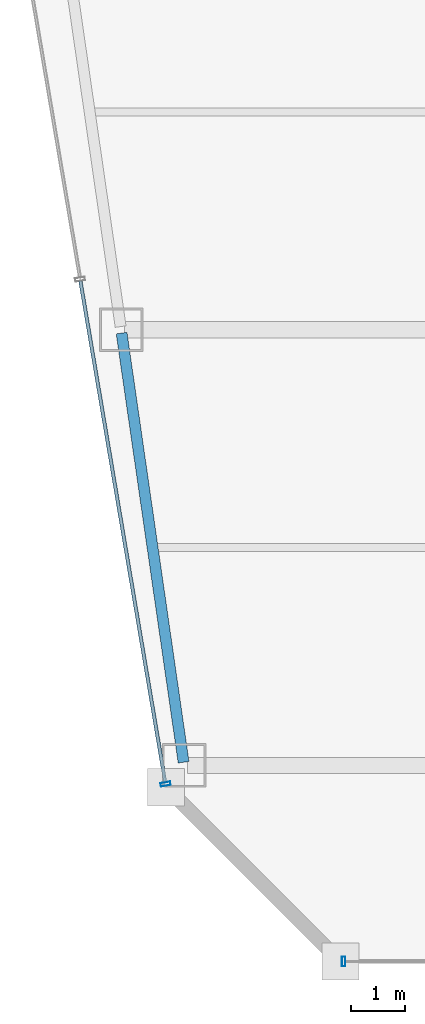
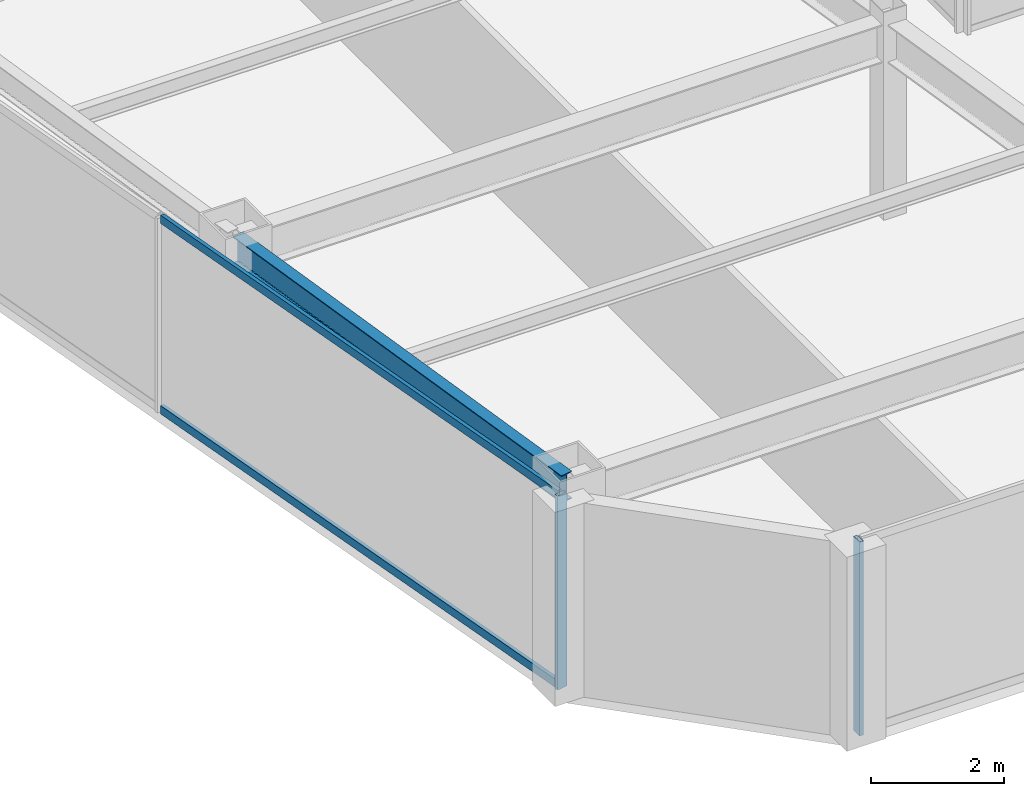
# One storey, part 3 of 35: 4 members, 1 beam, 2 elements without a shape of their own.
"""IFC4 building model written with IfcOpenShell, lengths in metres."""

from ifc_helpers import new_model, si_unit, direction, frame, origin, origin_2d, place, context, subcontext, project, spatial, hollow_rectangle, i_section, extrude, material, material_profile, profile_set, type_object, element, aggregate, save


model = new_model("IFC4")

# Units and contexts
model_context = context("Model", 3, precision=1e-05, world=origin(), true_north=direction((0.0, 1.0)))
body_context = subcontext(model_context, "Body", "Model", "MODEL_VIEW")
ifc_project = project(units=[si_unit("LENGTHUNIT", "METRE"), si_unit("AREAUNIT", "SQUARE_METRE"), si_unit("VOLUMEUNIT", "CUBIC_METRE"), si_unit("PLANEANGLEUNIT", "RADIAN"), si_unit("MASSUNIT", "GRAM", prefix="KILO")], contexts=[model_context])

# Site, building, storey
site_placement = place(None, origin())
site = spatial("IfcSite", under=ifc_project, at=site_placement, CompositionType="ELEMENT")
building_placement = place(site_placement, origin())
building = spatial("IfcBuilding", under=site, at=building_placement, Name="Saevonmaru Cultural Tower", CompositionType="ELEMENT")
storey_placement = place(building_placement, frame((0.0, 0.0, 217.0)))
storey = spatial("IfcBuildingStorey", under=building, at=storey_placement, Name="L50", CompositionType="ELEMENT", Elevation=217.0)

# Beam
ifc_material_1 = material(Name="Steel SM355", Category="steel")
ifc_material_profile_1 = material_profile(ifc_material_1, i_section(OverallWidth=0.199951171875, OverallDepth=0.5, WebThickness=0.010009765625, FlangeThickness=0.01611328125, FilletRadius=0.02001953125, at=origin_2d()), Name="H-500x200x10x16")
ifc_profile_set_1 = profile_set([ifc_material_profile_1], Name="Steel SM355")
beam_type = type_object("IfcBeamType", Name="BM-SP-H500", PredefinedType="SPANDREL", material=ifc_profile_set_1)
beam_placement = place(storey_placement, frame((10.619384765625, 16.059326171875, 3.300048828125), z_axis=(-0.142992129437, 0.989723825579, 0.0), x_axis=(-0.989723825579, -0.142992129437, 0.0)))
element("IfcBeam", 1, at=beam_placement, inside=storey, type_object=beam_type, Name="L50 West Splayed Spandrel 1", PredefinedType="SPANDREL", context=body_context, shape_type="SweptSolid", body=[
    extrude(i_section(OverallWidth=0.199951171875, OverallDepth=0.5, WebThickness=0.010009765625, FlangeThickness=0.01611328125, FilletRadius=0.02001953125, at=origin_2d()), origin(), (0.0, 0.0, 1.0), 7.963134765625),
])

# Curtain wall, member
ifc_material_2 = material(Name="Satin Bronze Anodised Aluminium", Category="aluminium")
curtain_wall_type = type_object("IfcCurtainWallType", Name="CW-TYP-B", PredefinedType="NOTDEFINED", material=ifc_material_2)
curtain_wall_1_placement = place(storey_placement, origin())
curtain_wall_1 = element("IfcCurtainWall", 2, at=curtain_wall_1_placement, inside=storey, type_object=curtain_wall_type, Name="L50 Unitised Curtain Wall E2", PredefinedType="NOTDEFINED")
ifc_material_profile_2 = material_profile(ifc_material_2, hollow_rectangle(XDim=0.06494140625, YDim=0.179931640625, WallThickness=0.00390625, at=origin_2d()), Name="ALU-MULL-180x65x4")
ifc_profile_set_2 = profile_set([ifc_material_profile_2], Name="Satin Bronze Anodised Aluminium")
member_type_1 = type_object("IfcMemberType", Name="ML-CW-180x65", PredefinedType="MULLION", material=ifc_profile_set_2)
member_1_placement = place(storey_placement, frame((13.557861328125, 12.39990234375, 0.0), z_axis=(0.0, 0.0, 1.0), x_axis=(1.0, 0.0, 0.0)))
member_1 = element("IfcMember", 3, at=member_1_placement, type_object=member_type_1, Name="CW-TW-L50-E2 mullion 1", PredefinedType="MULLION", context=body_context, shape_type="SweptSolid", body=[
    extrude(hollow_rectangle(XDim=0.06494140625, YDim=0.179931640625, WallThickness=0.00390625, at=origin_2d()), origin(), (0.0, 0.0, 1.0), 3.550048828125),
])
aggregate(curtain_wall_1, [member_1])

# Curtain wall, members
curtain_wall_2_placement = place(storey_placement, origin())
curtain_wall_2 = element("IfcCurtainWall", 4, at=curtain_wall_2_placement, inside=storey, type_object=curtain_wall_type, Name="L50 Unitised Curtain Wall E12", PredefinedType="NOTDEFINED")
member_2_placement = place(storey_placement, frame((10.287841796875, 15.6591796875, 0.0), z_axis=(0.0, 0.0, 1.0), x_axis=(0.16692169721, -0.985970155228, 0.0)))
member_2 = element("IfcMember", 5, at=member_2_placement, type_object=member_type_1, Name="CW-TW-L50-E12 mullion 5", PredefinedType="MULLION", context=body_context, shape_type="SweptSolid", body=[
    extrude(hollow_rectangle(XDim=0.06494140625, YDim=0.179931640625, WallThickness=0.00390625, at=origin_2d()), origin(), (0.0, 0.0, 1.0), 3.550048828125),
])
ifc_material_profile_3 = material_profile(ifc_material_2, hollow_rectangle(XDim=0.06494140625, YDim=0.14990234375, WallThickness=0.00390625, at=origin_2d()), Name="ALU-TRAN-150x65x4")
ifc_profile_set_3 = profile_set([ifc_material_profile_3], Name="Satin Bronze Anodised Aluminium")
member_type_2 = type_object("IfcMemberType", Name="TR-CW-150x65", PredefinedType="USERDEFINED", material=ifc_profile_set_3)
member_3_placement = place(storey_placement, frame((8.723876953125, 24.8974609375, 0.032470703125), z_axis=(0.166921263871, -0.985970228591, 0.0), x_axis=(0.985970228591, 0.166921263871, 0.0)))
member_3 = element("IfcMember", 6, at=member_3_placement, type_object=member_type_2, Name="CW-TW-L50-E12 transom 4.1", ObjectType="TRANSOM", PredefinedType="USERDEFINED", context=body_context, shape_type="SweptSolid", body=[
    extrude(hollow_rectangle(XDim=0.06494140625, YDim=0.14990234375, WallThickness=0.00390625, at=origin_2d()), origin(), (0.0, 0.0, 1.0), 9.33740234375),
])
member_4_placement = place(storey_placement, frame((8.723876953125, 24.8974609375, 3.517578125), z_axis=(0.166921263871, -0.985970228591, 0.0), x_axis=(0.985970228591, 0.166921263871, 0.0)))
member_4 = element("IfcMember", 7, at=member_4_placement, type_object=member_type_2, Name="CW-TW-L50-E12 transom 4.2", ObjectType="TRANSOM", PredefinedType="USERDEFINED", context=body_context, shape_type="SweptSolid", body=[
    extrude(hollow_rectangle(XDim=0.06494140625, YDim=0.14990234375, WallThickness=0.00390625, at=origin_2d()), origin(), (0.0, 0.0, 1.0), 9.33740234375),
])
aggregate(curtain_wall_2, [member_2, member_3, member_4])

save(model, "model.ifc")
